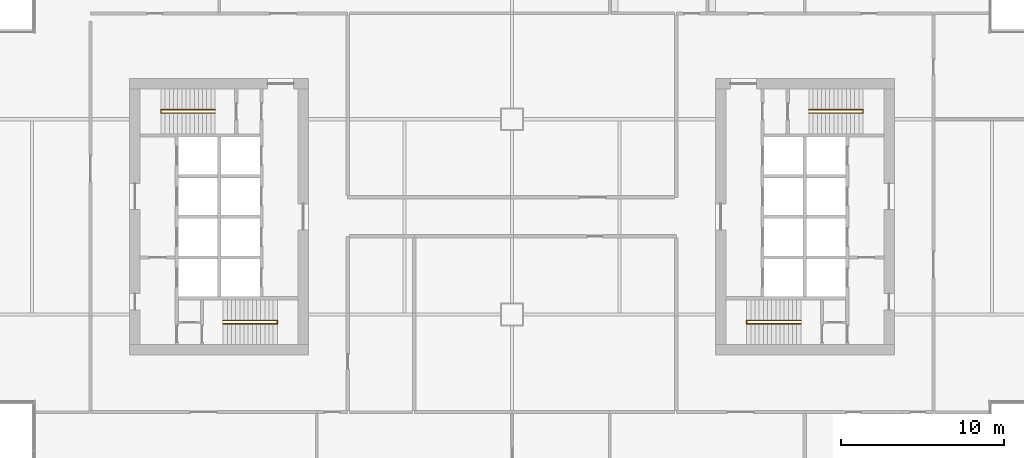
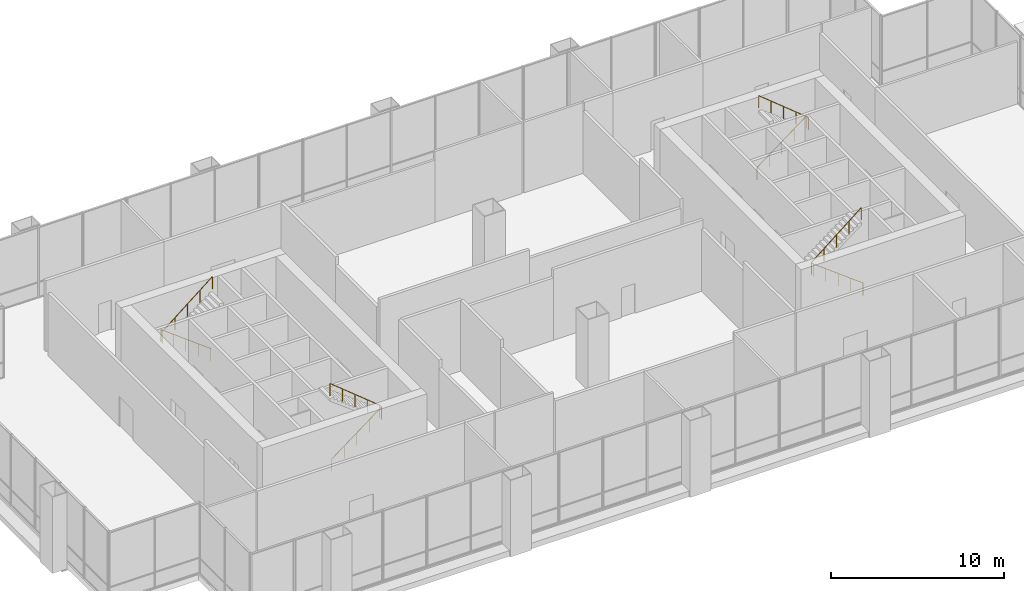
# One storey, part 19 of 20: 4 railings.
"""IFC4 building model written with IfcOpenShell, lengths in metres."""

from ifc_helpers import new_model, si_unit, direction, frame, origin, origin_2d, place, context, subcontext, project, spatial, circle, extrude, material, type_object, element, save


model = new_model("IFC4")

# Units and contexts
model_context = context("Model", 3, precision=1e-05, world=origin(), true_north=direction((0.0, 1.0)))
body_context = subcontext(model_context, "Body", "Model", "MODEL_VIEW")
ifc_project = project(units=[si_unit("LENGTHUNIT", "METRE"), si_unit("AREAUNIT", "SQUARE_METRE"), si_unit("VOLUMEUNIT", "CUBIC_METRE"), si_unit("PLANEANGLEUNIT", "RADIAN"), si_unit("MASSUNIT", "GRAM", prefix="KILO")], contexts=[model_context])

# Site, building, storey
site_placement = place(None, origin())
site = spatial("IfcSite", under=ifc_project, at=site_placement, CompositionType="ELEMENT")
building_placement = place(site_placement, origin())
building = spatial("IfcBuilding", under=site, at=building_placement, Name="Kitamizu Gate Tower and Museum", CompositionType="ELEMENT")
storey_placement = place(building_placement, frame((0.0, 0.0, 148.35009765625)))
storey = spatial("IfcBuildingStorey", under=building, at=storey_placement, Name="L39", CompositionType="ELEMENT", Elevation=148.35009765625)

# Railings
ifc_material = material(Name="Stainless steel SUS304", Category="steel")
railing_type = type_object("IfcRailingType", Name="Stair handrail 900", PredefinedType="HANDRAIL", material=ifc_material)
railing_1_placement = place(storey_placement, frame((18.25, 23.425048828125, 0.19287109375)))
element("IfcRailing", 1, at=railing_1_placement, inside=storey, type_object=railing_type, Name="Stair handrail ST1", PredefinedType="HANDRAIL", context=body_context, shape_type="SweptSolid", body=[
    extrude(circle(Radius=0.02392578125, at=origin_2d()), frame((0.0, 0.0, 0.8759765625), z_axis=(0.798456614853, 0.0, 0.602052351709), x_axis=(0.0, 1.0, 0.0)), (0.0, 0.0, 1.0), 4.164306640625),
    extrude(circle(Radius=0.02392578125, at=origin_2d()), frame((3.324951171875, 0.0, 3.3828125), z_axis=(0.0, 1.0, 0.0), x_axis=(-1.0, 0.0, 0.0)), (0.0, 0.0, 1.0), 0.199951171875),
    extrude(circle(Radius=0.02392578125, at=origin_2d()), frame((3.324951171875, 0.199951171875, 3.3828125), z_axis=(-0.776293554614, 0.0, 0.630371570635), x_axis=(0.0, -1.0, 0.0)), (0.0, 0.0, 1.0), 4.283203125),
    extrude(circle(Radius=0.02099609375, at=origin_2d()), origin(), (0.0, 0.0, 1.0), 0.851806640625),
    extrude(circle(Radius=0.02099609375, at=origin_2d()), frame((0.831298828125, 0.0, 0.626708984375)), (0.0, 0.0, 1.0), 0.851806640625),
    extrude(circle(Radius=0.02099609375, at=origin_2d()), frame((1.66259765625, 0.0, 1.25341796875)), (0.0, 0.0, 1.0), 0.851806640625),
    extrude(circle(Radius=0.02099609375, at=origin_2d()), frame((2.49365234375, 0.0, 1.88037109375)), (0.0, 0.0, 1.0), 0.851806640625),
    extrude(circle(Radius=0.02099609375, at=origin_2d()), frame((3.324951171875, 0.0, 2.507080078125)), (0.0, 0.0, 1.0), 0.851806640625),
    extrude(circle(Radius=0.02099609375, at=origin_2d()), frame((3.324951171875, 0.199951171875, 2.507080078125)), (0.0, 0.0, 1.0), 0.851806640625),
    extrude(circle(Radius=0.02099609375, at=origin_2d()), frame((2.49365234375, 0.199951171875, 3.18212890625)), (0.0, 0.0, 1.0), 0.851806640625),
    extrude(circle(Radius=0.02099609375, at=origin_2d()), frame((1.66259765625, 0.199951171875, 3.85693359375)), (0.0, 0.0, 1.0), 0.851806640625),
    extrude(circle(Radius=0.02099609375, at=origin_2d()), frame((0.831298828125, 0.199951171875, 4.531982421875)), (0.0, 0.0, 1.0), 0.851806640625),
    extrude(circle(Radius=0.02099609375, at=origin_2d()), frame((0.0, 0.199951171875, 5.20703125)), (0.0, 0.0, 1.0), 0.851806640625),
])
railing_2_placement = place(storey_placement, frame((17.75, 36.574951171875, 0.19287109375)))
element("IfcRailing", 2, at=railing_2_placement, inside=storey, type_object=railing_type, Name="Stair handrail ST2", PredefinedType="HANDRAIL", context=body_context, shape_type="SweptSolid", body=[
    extrude(circle(Radius=0.02392578125, at=origin_2d()), frame((0.0, 0.0, 0.8759765625), z_axis=(-0.798456614853, 0.0, 0.602052351709), x_axis=(0.0, -1.0, 0.0)), (0.0, 0.0, 1.0), 4.164306640625),
    extrude(circle(Radius=0.02392578125, at=origin_2d()), frame((-3.324951171875, 0.0, 3.3828125), z_axis=(0.0, -1.0, 0.0), x_axis=(1.0, 0.0, 0.0)), (0.0, 0.0, 1.0), 0.199951171875),
    extrude(circle(Radius=0.02392578125, at=origin_2d()), frame((-3.324951171875, -0.199951171875, 3.3828125), z_axis=(0.776293554614, 0.0, 0.630371570635), x_axis=(0.0, 1.0, 0.0)), (0.0, 0.0, 1.0), 4.283203125),
    extrude(circle(Radius=0.02099609375, at=origin_2d()), origin(), (0.0, 0.0, 1.0), 0.851806640625),
    extrude(circle(Radius=0.02099609375, at=origin_2d()), frame((-0.831298828125, 0.0, 0.626708984375)), (0.0, 0.0, 1.0), 0.851806640625),
    extrude(circle(Radius=0.02099609375, at=origin_2d()), frame((-1.66259765625, 0.0, 1.25341796875)), (0.0, 0.0, 1.0), 0.851806640625),
    extrude(circle(Radius=0.02099609375, at=origin_2d()), frame((-2.49365234375, 0.0, 1.88037109375)), (0.0, 0.0, 1.0), 0.851806640625),
    extrude(circle(Radius=0.02099609375, at=origin_2d()), frame((-3.324951171875, 0.0, 2.507080078125)), (0.0, 0.0, 1.0), 0.851806640625),
    extrude(circle(Radius=0.02099609375, at=origin_2d()), frame((-3.324951171875, -0.199951171875, 2.507080078125)), (0.0, 0.0, 1.0), 0.851806640625),
    extrude(circle(Radius=0.02099609375, at=origin_2d()), frame((-2.49365234375, -0.199951171875, 3.18212890625)), (0.0, 0.0, 1.0), 0.851806640625),
    extrude(circle(Radius=0.02099609375, at=origin_2d()), frame((-1.66259765625, -0.199951171875, 3.85693359375)), (0.0, 0.0, 1.0), 0.851806640625),
    extrude(circle(Radius=0.02099609375, at=origin_2d()), frame((-0.831298828125, -0.199951171875, 4.531982421875)), (0.0, 0.0, 1.0), 0.851806640625),
    extrude(circle(Radius=0.02099609375, at=origin_2d()), frame((0.0, -0.199951171875, 5.20703125)), (0.0, 0.0, 1.0), 0.851806640625),
])
railing_3_placement = place(storey_placement, frame((53.75, 23.425048828125, 0.19287109375)))
element("IfcRailing", 3, at=railing_3_placement, inside=storey, type_object=railing_type, Name="Stair handrail ST3", PredefinedType="HANDRAIL", context=body_context, shape_type="SweptSolid", body=[
    extrude(circle(Radius=0.02392578125, at=origin_2d()), frame((0.0, 0.0, 0.8759765625), z_axis=(-0.798456614853, 0.0, 0.602052351709), x_axis=(0.0, -1.0, 0.0)), (0.0, 0.0, 1.0), 4.164306640625),
    extrude(circle(Radius=0.02392578125, at=origin_2d()), frame((-3.324951171875, 0.0, 3.3828125), z_axis=(0.0, 1.0, 0.0), x_axis=(-1.0, 0.0, 0.0)), (0.0, 0.0, 1.0), 0.199951171875),
    extrude(circle(Radius=0.02392578125, at=origin_2d()), frame((-3.324951171875, 0.199951171875, 3.3828125), z_axis=(0.776293554614, 0.0, 0.630371570635), x_axis=(0.0, 1.0, 0.0)), (0.0, 0.0, 1.0), 4.283203125),
    extrude(circle(Radius=0.02099609375, at=origin_2d()), origin(), (0.0, 0.0, 1.0), 0.851806640625),
    extrude(circle(Radius=0.02099609375, at=origin_2d()), frame((-0.831298828125, 0.0, 0.626708984375)), (0.0, 0.0, 1.0), 0.851806640625),
    extrude(circle(Radius=0.02099609375, at=origin_2d()), frame((-1.66259765625, 0.0, 1.25341796875)), (0.0, 0.0, 1.0), 0.851806640625),
    extrude(circle(Radius=0.02099609375, at=origin_2d()), frame((-2.49365234375, 0.0, 1.88037109375)), (0.0, 0.0, 1.0), 0.851806640625),
    extrude(circle(Radius=0.02099609375, at=origin_2d()), frame((-3.324951171875, 0.0, 2.507080078125)), (0.0, 0.0, 1.0), 0.851806640625),
    extrude(circle(Radius=0.02099609375, at=origin_2d()), frame((-3.324951171875, 0.199951171875, 2.507080078125)), (0.0, 0.0, 1.0), 0.851806640625),
    extrude(circle(Radius=0.02099609375, at=origin_2d()), frame((-2.49365234375, 0.199951171875, 3.18212890625)), (0.0, 0.0, 1.0), 0.851806640625),
    extrude(circle(Radius=0.02099609375, at=origin_2d()), frame((-1.66259765625, 0.199951171875, 3.85693359375)), (0.0, 0.0, 1.0), 0.851806640625),
    extrude(circle(Radius=0.02099609375, at=origin_2d()), frame((-0.831298828125, 0.199951171875, 4.531982421875)), (0.0, 0.0, 1.0), 0.851806640625),
    extrude(circle(Radius=0.02099609375, at=origin_2d()), frame((0.0, 0.199951171875, 5.20703125)), (0.0, 0.0, 1.0), 0.851806640625),
])
railing_4_placement = place(storey_placement, frame((54.25, 36.574951171875, 0.19287109375)))
element("IfcRailing", 4, at=railing_4_placement, inside=storey, type_object=railing_type, Name="Stair handrail ST4", PredefinedType="HANDRAIL", context=body_context, shape_type="SweptSolid", body=[
    extrude(circle(Radius=0.02392578125, at=origin_2d()), frame((0.0, 0.0, 0.8759765625), z_axis=(0.798456614853, 0.0, 0.602052351709), x_axis=(0.0, 1.0, 0.0)), (0.0, 0.0, 1.0), 4.164306640625),
    extrude(circle(Radius=0.02392578125, at=origin_2d()), frame((3.324951171875, 0.0, 3.3828125), z_axis=(0.0, -1.0, 0.0), x_axis=(1.0, 0.0, 0.0)), (0.0, 0.0, 1.0), 0.199951171875),
    extrude(circle(Radius=0.02392578125, at=origin_2d()), frame((3.324951171875, -0.199951171875, 3.3828125), z_axis=(-0.776293554614, 0.0, 0.630371570635), x_axis=(0.0, -1.0, 0.0)), (0.0, 0.0, 1.0), 4.283203125),
    extrude(circle(Radius=0.02099609375, at=origin_2d()), origin(), (0.0, 0.0, 1.0), 0.851806640625),
    extrude(circle(Radius=0.02099609375, at=origin_2d()), frame((0.831298828125, 0.0, 0.626708984375)), (0.0, 0.0, 1.0), 0.851806640625),
    extrude(circle(Radius=0.02099609375, at=origin_2d()), frame((1.66259765625, 0.0, 1.25341796875)), (0.0, 0.0, 1.0), 0.851806640625),
    extrude(circle(Radius=0.02099609375, at=origin_2d()), frame((2.49365234375, 0.0, 1.88037109375)), (0.0, 0.0, 1.0), 0.851806640625),
    extrude(circle(Radius=0.02099609375, at=origin_2d()), frame((3.324951171875, 0.0, 2.507080078125)), (0.0, 0.0, 1.0), 0.851806640625),
    extrude(circle(Radius=0.02099609375, at=origin_2d()), frame((3.324951171875, -0.199951171875, 2.507080078125)), (0.0, 0.0, 1.0), 0.851806640625),
    extrude(circle(Radius=0.02099609375, at=origin_2d()), frame((2.49365234375, -0.199951171875, 3.18212890625)), (0.0, 0.0, 1.0), 0.851806640625),
    extrude(circle(Radius=0.02099609375, at=origin_2d()), frame((1.66259765625, -0.199951171875, 3.85693359375)), (0.0, 0.0, 1.0), 0.851806640625),
    extrude(circle(Radius=0.02099609375, at=origin_2d()), frame((0.831298828125, -0.199951171875, 4.531982421875)), (0.0, 0.0, 1.0), 0.851806640625),
    extrude(circle(Radius=0.02099609375, at=origin_2d()), frame((0.0, -0.199951171875, 5.20703125)), (0.0, 0.0, 1.0), 0.851806640625),
])

save(model, "model.ifc")
